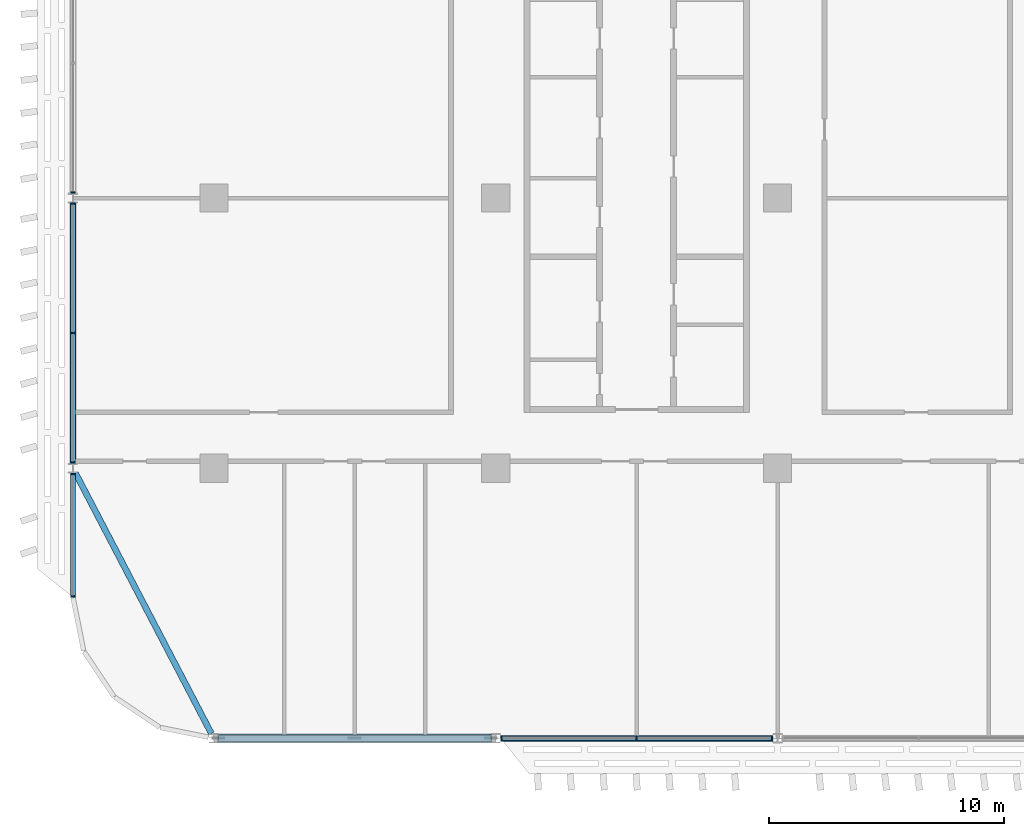
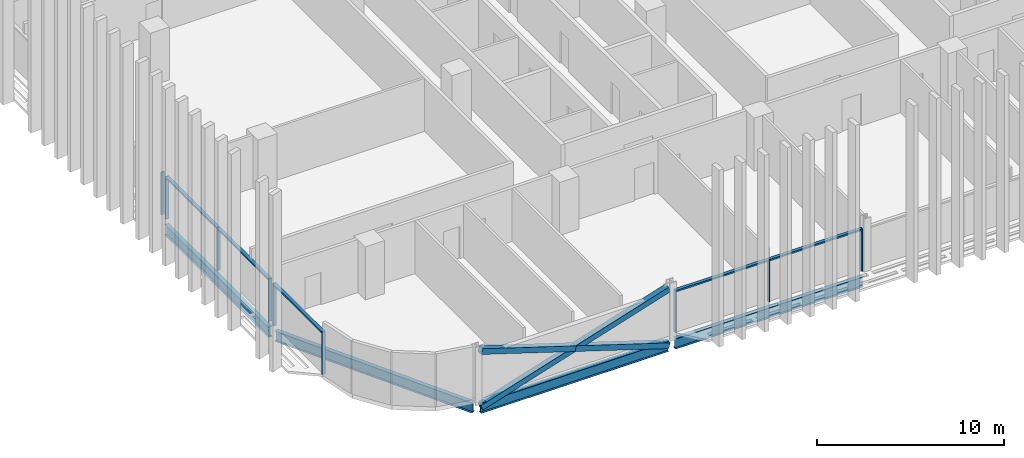
# One storey, part 3 of 28: 17 members, 4 beams, 4 elements without a shape of their own.
"""IFC4 building model written with IfcOpenShell, lengths in metres."""

import ifcopenshell
import ifcopenshell.guid

model = None  # the IFC model being written
_history = None  # IfcOwnerHistory: only IFC2X3 demands one
_inside = {}  # id of a spatial element -> (the spatial element, [elements in it])
_under = {}  # id of a project, library or spatial element -> (it, [spatial elements below it])
_declared = {}  # id of a project -> (the project, [libraries it declares])
_typed = {}  # id of a type object -> (the type object, [elements of that type])
_made_of = {}  # id of a material, layer set ... -> (it, [elements and type objects made of it])


def new_model(schema):
    """Start an empty IFC model of exactly this schema.

    Asked for "IFC4X3", IfcOpenShell would pick the latest addendum, in which some entities
    have other attributes; the version numbers below select the first issue.
    IFC2X3 requires an IfcOwnerHistory on every rooted entity: one is made here for all.
    """
    global model, _history
    if schema == "IFC4X3":
        model = ifcopenshell.file(schema_version=(4, 3, 0, 0))
    else:
        model = ifcopenshell.file(schema=schema)
    _inside.clear()
    _under.clear()
    _declared.clear()
    _typed.clear()
    _made_of.clear()
    _history = None
    if model.schema == "IFC2X3":
        org = make("IfcOrganization", Name="unknown")
        user = make(
            "IfcPersonAndOrganization",
            ThePerson=make("IfcPerson", FamilyName="unknown"),
            TheOrganization=org,
        )
        app = make(
            "IfcApplication",
            ApplicationDeveloper=org,
            Version="unknown",
            ApplicationFullName="unknown",
            ApplicationIdentifier="unknown",
        )
        _history = make(
            "IfcOwnerHistory",
            OwningUser=user,
            OwningApplication=app,
            ChangeAction="ADDED",
            CreationDate=0,
        )
    return model


def make(cls, **values):
    """One entity of the class cls with the attributes given. An attribute that is None is left unset."""
    return model.create_entity(
        cls, **{name: value for name, value in values.items() if value is not None}
    )


def rooted(cls, **values):
    """An entity with a GlobalId (a new one), such as an element, a storey or a relation."""
    return make(cls, GlobalId=ifcopenshell.guid.new(), OwnerHistory=_history, **values)


def si_unit(unit_type, name, prefix=None):
    """IfcSIUnit, for example si_unit("LENGTHUNIT", "METRE", prefix="MILLI")."""
    return make("IfcSIUnit", UnitType=unit_type, Prefix=prefix, Name=name)


def assignment(units):
    """IfcUnitAssignment: the units of a project."""
    return None if units is None else make("IfcUnitAssignment", Units=units)


def point(xyz):
    """IfcCartesianPoint."""
    return None if xyz is None else make("IfcCartesianPoint", Coordinates=xyz)


def direction(xyz):
    """IfcDirection."""
    return None if xyz is None else make("IfcDirection", DirectionRatios=xyz)


def frame(location, z_axis=None, x_axis=None):
    """IfcAxis2Placement3D, a coordinate frame: its origin and axes. An axis left out is left unset."""
    return make(
        "IfcAxis2Placement3D",
        Location=point(location),
        Axis=direction(z_axis),
        RefDirection=direction(x_axis),
    )


def frame_2d(location, x_axis=None):
    """IfcAxis2Placement2D, a coordinate frame in the plane: its origin and x axis."""
    return make(
        "IfcAxis2Placement2D", Location=point(location), RefDirection=direction(x_axis)
    )


def origin():
    """The frame at (0, 0, 0) with its axes left unset."""
    return frame((0.0, 0.0, 0.0))


def origin_2d():
    """The frame at (0, 0) in the plane with its x axis left unset."""
    return frame_2d((0.0, 0.0))


def place(relative_to, where):
    """IfcLocalPlacement: puts the frame where relative to a parent placement (None: the world)."""
    return make(
        "IfcLocalPlacement", PlacementRelTo=relative_to, RelativePlacement=where
    )


def context(
    kind, dimensions, precision=None, world=None, true_north=None, identifier=None
):
    """IfcGeometricRepresentationContext, for example the 3D "Model" context."""
    return make(
        "IfcGeometricRepresentationContext",
        ContextIdentifier=identifier,
        ContextType=kind,
        CoordinateSpaceDimension=dimensions,
        Precision=precision,
        WorldCoordinateSystem=world,
        TrueNorth=true_north,
    )


def subcontext(parent, identifier, kind, view, scale=None):
    """IfcGeometricRepresentationSubContext, for example "Body" below "Model"."""
    return make(
        "IfcGeometricRepresentationSubContext",
        ContextIdentifier=identifier,
        ContextType=kind,
        ParentContext=parent,
        TargetScale=scale,
        TargetView=view,
    )


def project(units=None, contexts=None):
    """IfcProject with its units and contexts."""
    return rooted(
        "IfcProject",
        Name="project",
        RepresentationContexts=contexts,
        UnitsInContext=assignment(units),
    )


def spatial(cls, under=None, at=None, **own):
    """A site, building, storey or space (cls), placed at a placement, below another one or the project."""
    s = rooted(cls, ObjectPlacement=at, **own)
    if under is not None:
        _under.setdefault(under.id(), (under, []))[1].append(s)
    return s


def profile(cls, at=None, kind="AREA", **sizes):
    """A parametric profile (cls). Its sizes go by their IFC names, for example OverallWidth=200.0."""
    return make(cls, ProfileType=kind, Position=at, **sizes)


def rectangle(**sizes):
    """IfcRectangleProfileDef."""
    return profile("IfcRectangleProfileDef", **sizes)


def hollow_rectangle(**sizes):
    """IfcRectangleHollowProfileDef."""
    return profile("IfcRectangleHollowProfileDef", **sizes)


def i_section(**sizes):
    """IfcIShapeProfileDef."""
    return profile("IfcIShapeProfileDef", **sizes)


def extrude(swept, where, along, depth):
    """IfcExtrudedAreaSolid: the profile swept, set in the frame where, extruded along a direction by depth."""
    return make(
        "IfcExtrudedAreaSolid",
        SweptArea=swept,
        Position=where,
        ExtrudedDirection=direction(along),
        Depth=depth,
    )


def shape(context_of_items, identifier, shape_type, items):
    """IfcShapeRepresentation: the items that make up one representation, for example the "Body"."""
    return make(
        "IfcShapeRepresentation",
        ContextOfItems=context_of_items,
        RepresentationIdentifier=identifier,
        RepresentationType=shape_type,
        Items=items,
    )


def material(Name=None, Category=None):
    """IfcMaterial."""
    return make("IfcMaterial", Name=Name, Category=Category)


def material_profile(
    of_material, cross_section, Name=None, Category=None, Priority=None
):
    """IfcMaterialProfile: a cross section and its material."""
    return make(
        "IfcMaterialProfile",
        Name=Name,
        Material=of_material,
        Profile=cross_section,
        Priority=Priority,
        Category=Category,
    )


def profile_set(profiles, Name=None, composite=None):
    """IfcMaterialProfileSet."""
    return make(
        "IfcMaterialProfileSet",
        Name=Name,
        MaterialProfiles=profiles,
        CompositeProfile=composite,
    )


def made_of(thing, what):
    """Note that an element or type object is made of a material, layer set ...; save() writes the relation."""
    if what is not None:
        _made_of.setdefault(what.id(), (what, []))[1].append(thing)
    return thing


def type_object(cls, material=None, **own):
    """A type object (cls), such as IfcWallType, which elements share."""
    return made_of(rooted(cls, **own), material)


def element(
    cls,
    number,
    at=None,
    inside=None,
    cuts=None,
    type_object=None,
    material=None,
    context=None,
    identifier="Body",
    shape_type=None,
    held_by="IfcProductDefinitionShape",
    body=None,
    shapes=None,
    **own,
):
    """One element of the class cls, such as IfcWall. Its Tag is "e" and its number.

    at: its placement. inside: the storey or other place that contains it. cuts: it is an
    opening in that element (IfcRelVoidsElement). A single representation is given by context,
    identifier, shape_type and body (its items); several are given by shapes. held_by: the class
    of the entity that holds the representations. save() writes the other relations.
    """
    e = rooted(cls, Tag="e%d" % number, ObjectPlacement=at, **own)
    if body is not None:
        shapes = [shape(context, identifier, shape_type, body)]
    if shapes is not None:
        e.Representation = make(held_by, Representations=shapes)
    if inside is not None:
        _inside.setdefault(inside.id(), (inside, []))[1].append(e)
    if cuts is not None:
        rooted(
            "IfcRelVoidsElement", RelatingBuildingElement=cuts, RelatedOpeningElement=e
        )
    if type_object is not None:
        _typed.setdefault(type_object.id(), (type_object, []))[1].append(e)
    return made_of(e, material)


def aggregate(whole, parts):
    """IfcRelAggregates: a whole, such as a stair, and the parts it consists of."""
    return rooted("IfcRelAggregates", RelatingObject=whole, RelatedObjects=parts)


def save(model, path):
    """Write the relations noted so far, then the file.

    IfcRelAggregates (storeys below a building ...), IfcRelContainedInSpatialStructure (elements
    in a storey), IfcRelDefinesByType, IfcRelAssociatesMaterial and IfcRelDeclares: one each for
    every whole, place, type object, material and project.
    """
    for whole, parts in _under.values():
        aggregate(whole, parts)
    for where, things in _inside.values():
        rooted(
            "IfcRelContainedInSpatialStructure",
            RelatedElements=things,
            RelatingStructure=where,
        )
    for kind, things in _typed.values():
        rooted("IfcRelDefinesByType", RelatedObjects=things, RelatingType=kind)
    for what, things in _made_of.values():
        rooted("IfcRelAssociatesMaterial", RelatedObjects=things, RelatingMaterial=what)
    for by, libraries in _declared.values():
        rooted("IfcRelDeclares", RelatingContext=by, RelatedDefinitions=libraries)
    model.write(path)


model = new_model("IFC4")

# Units and contexts
model_context = context("Model", 3, precision=1e-05, world=origin(), true_north=direction((0.0, 1.0)))
body_context = subcontext(model_context, "Body", "Model", "MODEL_VIEW")
ifc_project = project(units=[si_unit("LENGTHUNIT", "METRE"), si_unit("AREAUNIT", "SQUARE_METRE"), si_unit("VOLUMEUNIT", "CUBIC_METRE"), si_unit("PLANEANGLEUNIT", "RADIAN"), si_unit("MASSUNIT", "GRAM", prefix="KILO")], contexts=[model_context])

# Site, building, storey
site_placement = place(None, origin())
site = spatial("IfcSite", under=ifc_project, at=site_placement, CompositionType="ELEMENT")
building_placement = place(site_placement, origin())
building = spatial("IfcBuilding", under=site, at=building_placement, Name="Mahtab Terrace Research Tower", CompositionType="ELEMENT")
storey_placement = place(building_placement, frame((0.0, 0.0, 174.39990234375)))
storey = spatial("IfcBuildingStorey", under=building, at=storey_placement, Name="L41", CompositionType="ELEMENT", Elevation=174.39990234375)

# Members
ifc_material_1 = material(Name="Steel ASTM A500 Gr C", Category="steel")
ifc_material_profile_1 = material_profile(ifc_material_1, hollow_rectangle(XDim=0.355712890625, YDim=0.355712890625, WallThickness=0.015869140625, at=origin_2d()), Name="HSS14X14X5/8")
ifc_profile_set_1 = profile_set([ifc_material_profile_1], Name="Steel ASTM A500 Gr C")
member_type_1 = type_object("IfcMemberType", Name="HSS 14x14x5/8 brace XB141458", PredefinedType="BRACE", material=ifc_profile_set_1)
member_1_placement = place(storey_placement, frame((-41.796875, -23.0, -0.61474609375), z_axis=(0.953341454971, 0.0, 0.301894137463), x_axis=(0.0, 1.0, 0.0)))
element("IfcMember", 1, at=member_1_placement, inside=storey, type_object=member_type_1, Name="Exoskeleton brace L41 12 a", PredefinedType="BRACE", context=body_context, shape_type="SweptSolid", body=[
    extrude(hollow_rectangle(XDim=0.355712890625, YDim=0.355712890625, WallThickness=0.015869140625, at=origin_2d()), origin(), (0.0, 0.0, 1.0), 12.1611328125),
])
for number, where, z_axis, x_axis, name in (
    (2, (-30.203125, -23.0, -0.61474609375), (-0.953341454971, 0.0, 0.301894137463), (0.0, -1.0, 0.0), "Exoskeleton brace L41 12 b1"),
    (3, (-36.0, -23.0, 1.220947265625), (-0.953341454971, 0.0, 0.301894137463), (0.0, -1.0, 0.0), "Exoskeleton brace L41 12 b2"),
):
    element("IfcMember", number, at=place(storey_placement, frame(where, z_axis=z_axis, x_axis=x_axis)), inside=storey, type_object=member_type_1, Name=name, PredefinedType="BRACE", context=body_context, shape_type="SweptSolid", body=[
        extrude(hollow_rectangle(XDim=0.355712890625, YDim=0.355712890625, WallThickness=0.015869140625, at=origin_2d()), origin(), (0.0, 0.0, 1.0), 6.08056640625),
    ])

# Curtain wall, member
ifc_material_2 = material(Name="Laboratory ribbon curtain wall")
curtain_wall_type = type_object("IfcCurtainWallType", Name="Laboratory ribbon curtain wall", PredefinedType="NOTDEFINED", material=ifc_material_2)
curtain_wall_1_placement = place(storey_placement, origin())
curtain_wall_1 = element("IfcCurtainWall", 4, at=curtain_wall_1_placement, inside=storey, type_object=curtain_wall_type, Name="EN.L41.8.16", PredefinedType="NOTDEFINED")
ifc_material_3 = material(Name="Natural anodised aluminium", Category="aluminium")
ifc_material_profile_2 = material_profile(ifc_material_3, rectangle(XDim=0.199951171875, YDim=0.06494140625, at=origin_2d()), Name="MULLION 65x200")
ifc_profile_set_2 = profile_set([ifc_material_profile_2], Name="Natural anodised aluminium")
member_type_2 = type_object("IfcMemberType", Name="Laboratory ribbon curtain wall mullion", PredefinedType="MULLION", material=ifc_profile_set_2)
member_2_placement = place(storey_placement, frame((-48.0, 0.240478515625, 0.0), z_axis=(0.0, 0.0, 1.0), x_axis=(1.0, 0.0, 0.0)))
member_2 = element("IfcMember", 5, at=member_2_placement, type_object=member_type_2, Name="CWL-5 mullion 3", PredefinedType="MULLION", context=body_context, shape_type="SweptSolid", body=[
    extrude(rectangle(XDim=0.199951171875, YDim=0.06494140625, at=origin_2d()), origin(), (0.0, 0.0, 1.0), 2.781982421875),
])
aggregate(curtain_wall_1, [member_2])

# Curtain wall, members
curtain_wall_2_placement = place(storey_placement, origin())
curtain_wall_2 = element("IfcCurtainWall", 6, at=curtain_wall_2_placement, inside=storey, type_object=curtain_wall_type, Name="EN.L41.8.17", PredefinedType="NOTDEFINED")
member_3_placement = place(storey_placement, frame((-48.0, -0.240478515625, 0.0), z_axis=(0.0, 0.0, 1.0), x_axis=(1.0, 0.0, 0.0)))
member_3 = element("IfcMember", 7, at=member_3_placement, type_object=member_type_2, Name="CWL-5 mullion 1", PredefinedType="MULLION", context=body_context, shape_type="SweptSolid", body=[
    extrude(rectangle(XDim=0.199951171875, YDim=0.06494140625, at=origin_2d()), origin(), (0.0, 0.0, 1.0), 2.781982421875),
])
member_4_placement = place(storey_placement, frame((-48.0, -5.75, 0.0), z_axis=(0.0, 0.0, 1.0), x_axis=(1.0, 0.0, 0.0)))
member_4 = element("IfcMember", 8, at=member_4_placement, type_object=member_type_2, Name="CWL-5 mullion 2", PredefinedType="MULLION", context=body_context, shape_type="SweptSolid", body=[
    extrude(rectangle(XDim=0.199951171875, YDim=0.06494140625, at=origin_2d()), origin(), (0.0, 0.0, 1.0), 2.781982421875),
])
member_5_placement = place(storey_placement, frame((-48.0, -11.259521484375, 0.0), z_axis=(0.0, 0.0, 1.0), x_axis=(1.0, 0.0, 0.0)))
member_5 = element("IfcMember", 9, at=member_5_placement, type_object=member_type_2, Name="CWL-5 mullion 3", PredefinedType="MULLION", context=body_context, shape_type="SweptSolid", body=[
    extrude(rectangle(XDim=0.199951171875, YDim=0.06494140625, at=origin_2d()), origin(), (0.0, 0.0, 1.0), 2.781982421875),
])

curtain_wall_3_placement = place(storey_placement, origin())
curtain_wall_3 = element("IfcCurtainWall", 10, at=curtain_wall_3_placement, inside=storey, type_object=curtain_wall_type, Name="EN.L41.8.18", PredefinedType="NOTDEFINED")
member_6_placement = place(storey_placement, frame((-48.0, -11.740478515625, 0.0), z_axis=(0.0, 0.0, 1.0), x_axis=(1.0, 0.0, 0.0)))
member_6 = element("IfcMember", 11, at=member_6_placement, type_object=member_type_2, Name="CWL-5 mullion 1", PredefinedType="MULLION", context=body_context, shape_type="SweptSolid", body=[
    extrude(rectangle(XDim=0.199951171875, YDim=0.06494140625, at=origin_2d()), origin(), (0.0, 0.0, 1.0), 2.781982421875),
])
member_7_placement = place(storey_placement, frame((-48.0, -16.967529296875, 0.0), z_axis=(0.0, 0.0, 1.0), x_axis=(1.0, 0.0, 0.0)))
member_7 = element("IfcMember", 12, at=member_7_placement, type_object=member_type_2, Name="CWL-5 mullion 2", PredefinedType="MULLION", context=body_context, shape_type="SweptSolid", body=[
    extrude(rectangle(XDim=0.199951171875, YDim=0.06494140625, at=origin_2d()), origin(), (0.0, 0.0, 1.0), 2.781982421875),
])

curtain_wall_4_placement = place(storey_placement, origin())
curtain_wall_4 = element("IfcCurtainWall", 13, at=curtain_wall_4_placement, inside=storey, type_object=curtain_wall_type, Name="EN.L41.13.24", PredefinedType="NOTDEFINED")
member_8_placement = place(storey_placement, frame((-29.759521484375, -23.0, 0.0), z_axis=(0.0, 0.0, 1.0), x_axis=(0.0, 1.0, 0.0)))
member_8 = element("IfcMember", 14, at=member_8_placement, type_object=member_type_2, Name="CWL-5 mullion 1", PredefinedType="MULLION", context=body_context, shape_type="SweptSolid", body=[
    extrude(rectangle(XDim=0.199951171875, YDim=0.06494140625, at=origin_2d()), origin(), (0.0, 0.0, 1.0), 2.781982421875),
])
member_9_placement = place(storey_placement, frame((-24.0, -23.0, 0.0), z_axis=(0.0, 0.0, 1.0), x_axis=(0.0, 1.0, 0.0)))
member_9 = element("IfcMember", 15, at=member_9_placement, type_object=member_type_2, Name="CWL-5 mullion 2", PredefinedType="MULLION", context=body_context, shape_type="SweptSolid", body=[
    extrude(rectangle(XDim=0.199951171875, YDim=0.06494140625, at=origin_2d()), origin(), (0.0, 0.0, 1.0), 2.781982421875),
])
member_10_placement = place(storey_placement, frame((-18.240478515625, -23.0, 0.0), z_axis=(0.0, 0.0, 1.0), x_axis=(0.0, 1.0, 0.0)))
member_10 = element("IfcMember", 16, at=member_10_placement, type_object=member_type_2, Name="CWL-5 mullion 3", PredefinedType="MULLION", context=body_context, shape_type="SweptSolid", body=[
    extrude(rectangle(XDim=0.199951171875, YDim=0.06494140625, at=origin_2d()), origin(), (0.0, 0.0, 1.0), 2.781982421875),
])

# Member
ifc_material_profile_3 = material_profile(ifc_material_3, rectangle(XDim=0.199951171875, YDim=0.10009765625, at=origin_2d()), Name="TRANSOM 100x200")
ifc_profile_set_3 = profile_set([ifc_material_profile_3], Name="Natural anodised aluminium")
member_type_3 = type_object("IfcMemberType", Name="Laboratory ribbon curtain wall transom", PredefinedType="USERDEFINED", material=ifc_profile_set_3)
member_11_placement = place(storey_placement, frame((-48.0, -0.27294921875, 2.73193359375), z_axis=(0.0, -1.0, 0.0), x_axis=(1.0, 0.0, 0.0)))
member_11 = element("IfcMember", 17, at=member_11_placement, type_object=member_type_3, Name="CWL-5 transom 1", ObjectType="TRANSOM", PredefinedType="USERDEFINED", context=body_context, shape_type="SweptSolid", body=[
    extrude(rectangle(XDim=0.199951171875, YDim=0.10009765625, at=origin_2d()), origin(), (0.0, 0.0, 1.0), 5.444580078125),
])

member_12_placement = place(storey_placement, frame((-48.0, -5.782470703125, 2.73193359375), z_axis=(0.0, -1.0, 0.0), x_axis=(1.0, 0.0, 0.0)))
member_12 = element("IfcMember", 18, at=member_12_placement, type_object=member_type_3, Name="CWL-5 transom 2", ObjectType="TRANSOM", PredefinedType="USERDEFINED", context=body_context, shape_type="SweptSolid", body=[
    extrude(rectangle(XDim=0.199951171875, YDim=0.10009765625, at=origin_2d()), origin(), (0.0, 0.0, 1.0), 5.444580078125),
])

aggregate(curtain_wall_2, [member_3, member_4, member_5, member_11, member_12])

member_13_placement = place(storey_placement, frame((-48.0, -11.77294921875, 2.73193359375), z_axis=(0.0, -1.0, 0.0), x_axis=(1.0, 0.0, 0.0)))
member_13 = element("IfcMember", 19, at=member_13_placement, type_object=member_type_3, Name="CWL-5 transom 1", ObjectType="TRANSOM", PredefinedType="USERDEFINED", context=body_context, shape_type="SweptSolid", body=[
    extrude(rectangle(XDim=0.199951171875, YDim=0.10009765625, at=origin_2d()), origin(), (0.0, 0.0, 1.0), 5.162109375),
])

aggregate(curtain_wall_3, [member_6, member_7, member_13])

member_14_placement = place(storey_placement, frame((-29.72705078125, -23.0, 2.73193359375), z_axis=(1.0, 0.0, 0.0), x_axis=(0.0, 1.0, 0.0)))
member_14 = element("IfcMember", 20, at=member_14_placement, type_object=member_type_3, Name="CWL-5 transom 1", ObjectType="TRANSOM", PredefinedType="USERDEFINED", context=body_context, shape_type="SweptSolid", body=[
    extrude(rectangle(XDim=0.199951171875, YDim=0.10009765625, at=origin_2d()), origin(), (0.0, 0.0, 1.0), 5.694580078125),
])

member_15_placement = place(storey_placement, frame((-23.967529296875, -23.0, 2.73193359375), z_axis=(1.0, 0.0, 0.0), x_axis=(0.0, 1.0, 0.0)))
member_15 = element("IfcMember", 21, at=member_15_placement, type_object=member_type_3, Name="CWL-5 transom 2", ObjectType="TRANSOM", PredefinedType="USERDEFINED", context=body_context, shape_type="SweptSolid", body=[
    extrude(rectangle(XDim=0.199951171875, YDim=0.10009765625, at=origin_2d()), origin(), (0.0, 0.0, 1.0), 5.694580078125),
])

aggregate(curtain_wall_4, [member_8, member_9, member_10, member_14, member_15])

# Beams
ifc_material_4 = material(Name="Steel ASTM A992 Gr 50", Category="steel")
ifc_material_profile_4 = material_profile(ifc_material_4, i_section(OverallWidth=0.25390625, OverallDepth=0.67822265625, WebThickness=0.01171875, FlangeThickness=0.016357421875, at=origin_2d()), Name="W27X84")
ifc_profile_set_4 = profile_set([ifc_material_profile_4], Name="Steel ASTM A992 Gr 50")
beam_type = type_object("IfcBeamType", Name="W27x84 beam BS2784", PredefinedType="BEAM", material=ifc_profile_set_4)
beam_1_placement = place(storey_placement, frame((-48.0, -0.208251953125, -0.678955078125), z_axis=(0.0, -1.0, 0.0), x_axis=(1.0, 0.0, 0.0)))
element("IfcBeam", 22, at=beam_1_placement, inside=storey, type_object=beam_type, Name="Spandrel beam L41 10", PredefinedType="BEAM", context=body_context, shape_type="SweptSolid", body=[
    extrude(i_section(OverallWidth=0.25390625, OverallDepth=0.67822265625, WebThickness=0.01171875, FlangeThickness=0.016357421875, at=origin_2d()), origin(), (0.0, 0.0, 1.0), 11.08349609375),
])
beam_2_placement = place(storey_placement, frame((-47.891357421875, -11.708251953125, -0.678955078125), z_axis=(0.462567341525, -0.886584149731, 0.0), x_axis=(0.886584149731, 0.462567341525, 0.0)))
element("IfcBeam", 23, at=beam_2_placement, inside=storey, type_object=beam_type, Name="Spandrel beam L41 11", PredefinedType="BEAM", context=body_context, shape_type="SweptSolid", body=[
    extrude(i_section(OverallWidth=0.25390625, OverallDepth=0.67822265625, WebThickness=0.01171875, FlangeThickness=0.016357421875, at=origin_2d()), origin(), (0.0, 0.0, 1.0), 12.50146484375),
])
for number, where, z_axis, x_axis, name in (
    (24, (-41.796875, -23.0, -0.678955078125), (1.0, 0.0, 0.0), (0.0, 1.0, 0.0), "Spandrel beam L41 12"),
    (25, (-29.796875, -23.0, -0.678955078125), (1.0, 0.0, 0.0), (0.0, 1.0, 0.0), "Spandrel beam L41 13"),
):
    element("IfcBeam", number, at=place(storey_placement, frame(where, z_axis=z_axis, x_axis=x_axis)), inside=storey, type_object=beam_type, Name=name, PredefinedType="BEAM", context=body_context, shape_type="SweptSolid", body=[
        extrude(i_section(OverallWidth=0.25390625, OverallDepth=0.67822265625, WebThickness=0.01171875, FlangeThickness=0.016357421875, at=origin_2d()), origin(), (0.0, 0.0, 1.0), 11.59375),
    ])

save(model, "model.ifc")
